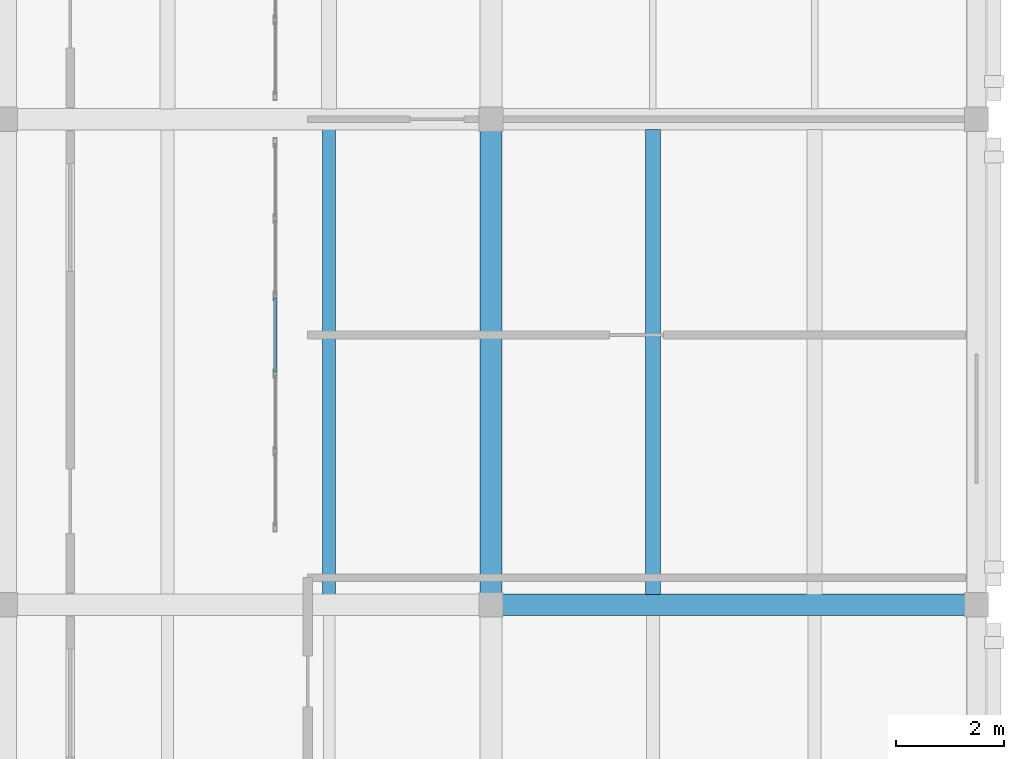
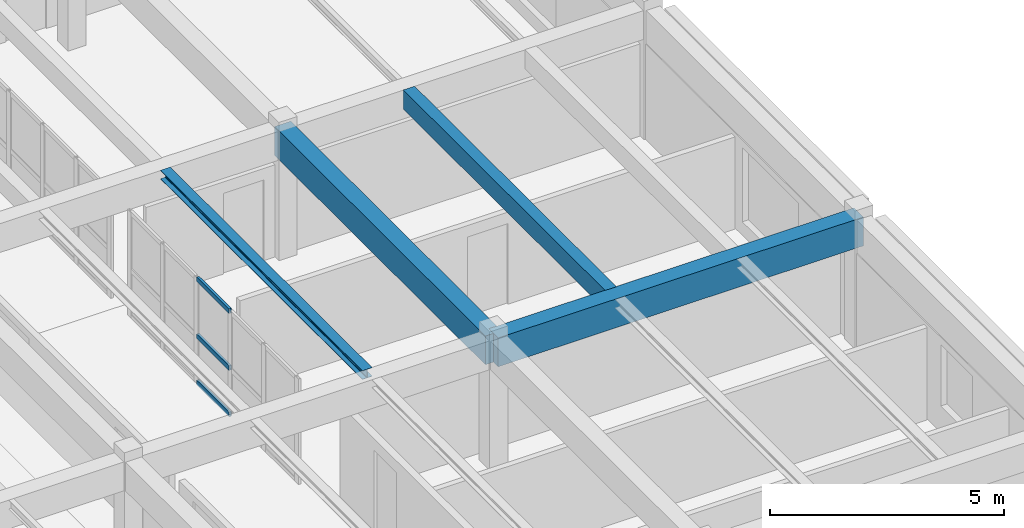
# One storey, part 36 of 80: 4 beams, 3 members, 1 element without a shape of its own.
"""IFC4 building model written with IfcOpenShell, lengths in metres."""

from ifc_helpers import new_model, si_unit, direction, frame, origin, origin_2d, place, context, subcontext, project, spatial, rectangle, hollow_rectangle, i_section, extrude, material, layer, layer_set, material_profile, profile_set, type_object, element, aggregate, save


model = new_model("IFC4")

# Units and contexts
model_context = context("Model", 3, precision=1e-05, world=origin(), true_north=direction((0.0, 1.0)))
body_context = subcontext(model_context, "Body", "Model", "MODEL_VIEW")
ifc_project = project(units=[si_unit("LENGTHUNIT", "METRE"), si_unit("AREAUNIT", "SQUARE_METRE"), si_unit("VOLUMEUNIT", "CUBIC_METRE"), si_unit("PLANEANGLEUNIT", "RADIAN"), si_unit("MASSUNIT", "GRAM", prefix="KILO")], contexts=[model_context])

# Site, building, storey
site_placement = place(None, origin())
site = spatial("IfcSite", under=ifc_project, at=site_placement, CompositionType="ELEMENT")
building_placement = place(site_placement, origin())
building = spatial("IfcBuilding", under=site, at=building_placement, Name="Ornek Quay Market", CompositionType="ELEMENT")
storey_placement = place(building_placement, frame((0.0, 0.0, 8.39990234375)))
storey = spatial("IfcBuildingStorey", under=building, at=storey_placement, Name="L02", CompositionType="ELEMENT", Elevation=8.39990234375)

# Beams
ifc_material_1 = material(Name="Concrete C35/45", Category="concrete")
ifc_material_profile_1 = material_profile(ifc_material_1, rectangle(XDim=0.39990234375, YDim=0.75, at=origin_2d()), Name="RC 400x750", Category="concrete")
ifc_profile_set_1 = profile_set([ifc_material_profile_1], Name="Concrete C35/45")
beam_type_1 = type_object("IfcBeamType", Name="BM-CS-400x750", PredefinedType="BEAM", material=ifc_profile_set_1)
for number, where, z_axis, x_axis, name in (
    (1, (171.0, 29.0, 2.97509765625), (1.0, 0.0, 0.0), (0.0, 1.0, 0.0), "Primary beam B-CS1-059"),
    (2, (171.0, 29.0, 2.97509765625), (0.0, 1.0, 0.0), (-1.0, 0.0, 0.0), "Primary beam B-CS1-077"),
):
    element("IfcBeam", number, at=place(storey_placement, frame(where, z_axis=z_axis, x_axis=x_axis)), inside=storey, type_object=beam_type_1, Name=name, PredefinedType="BEAM", context=body_context, shape_type="SweptSolid", body=[
        extrude(rectangle(XDim=0.39990234375, YDim=0.75, at=origin_2d()), origin(), (0.0, 0.0, 1.0), 9.0),
    ])
ifc_material_profile_2 = material_profile(ifc_material_1, rectangle(XDim=0.280029296875, YDim=0.5, at=origin_2d()), Name="RC 280x500", Category="concrete")
ifc_profile_set_2 = profile_set([ifc_material_profile_2], Name="Concrete C35/45")
beam_type_2 = type_object("IfcBeamType", Name="BM-SEC-280x500", PredefinedType="JOIST", material=ifc_profile_set_2)
beam_1_placement = place(storey_placement, frame((174.0, 29.19189453125, 3.10009765625), z_axis=(0.0, 1.0, 0.0), x_axis=(-1.0, 0.0, 0.0)))
element("IfcBeam", 3, at=beam_1_placement, inside=storey, type_object=beam_type_2, Name="Secondary joist B-SC2-097", PredefinedType="JOIST", context=body_context, shape_type="SweptSolid", body=[
    extrude(rectangle(XDim=0.280029296875, YDim=0.5, at=origin_2d()), origin(), (0.0, 0.0, 1.0), 8.6162109375),
])
ifc_material_2 = material(Name="Steel S355", Category="steel")
ifc_material_profile_3 = material_profile(ifc_material_2, i_section(OverallWidth=0.239990234375, OverallDepth=0.22998046875, WebThickness=0.007568359375, FlangeThickness=0.011962890625, FilletRadius=0.02099609375, at=origin_2d()), Name="HEA 240", Category="steel")
ifc_profile_set_3 = profile_set([ifc_material_profile_3], Name="Steel S355")
beam_type_3 = type_object("IfcBeamType", Name="BM-STL-HEA240", PredefinedType="BEAM", material=ifc_profile_set_3)
beam_2_placement = place(storey_placement, frame((168.0, 29.19189453125, 3.235107421875), z_axis=(0.0, 1.0, 0.0), x_axis=(-1.0, 0.0, 0.0)))
element("IfcBeam", 4, at=beam_2_placement, inside=storey, type_object=beam_type_3, Name="Secondary joist SB-14-034", PredefinedType="BEAM", context=body_context, shape_type="SweptSolid", body=[
    extrude(i_section(OverallWidth=0.239990234375, OverallDepth=0.22998046875, WebThickness=0.007568359375, FlangeThickness=0.011962890625, FilletRadius=0.02099609375, at=origin_2d()), origin(), (0.0, 0.0, 1.0), 8.6162109375),
])

# Curtain wall, members
ifc_material_3 = material(Name="Anodised bronze aluminium and triple low-e glass", Category="aluminium")
ifc_layer = layer(ifc_material_3, 0.139892578125, Name="Anodised bronze aluminium and triple low-e glass", Category="aluminium")
ifc_layer_set = layer_set([ifc_layer], Name="Anodised bronze aluminium and triple low-e glass")
curtain_wall_type = type_object("IfcCurtainWallType", Name="CW-GALLERY-INT", PredefinedType="USERDEFINED", material=ifc_layer_set)
curtain_wall_placement = place(storey_placement, origin())
curtain_wall = element("IfcCurtainWall", 5, at=curtain_wall_placement, inside=storey, type_object=curtain_wall_type, Name="Curtain wall CW-167", ObjectType="CURTAIN WALL", PredefinedType="USERDEFINED")
ifc_material_4 = material(Name="Anodised aluminium 6063-T6", Category="aluminium")
ifc_material_profile_4 = material_profile(ifc_material_4, hollow_rectangle(XDim=0.06005859375, YDim=0.1201171875, WallThickness=0.00390625, at=origin_2d()), Name="CW-TRN-60x120", Category="aluminium")
ifc_profile_set_4 = profile_set([ifc_material_profile_4], Name="Anodised aluminium 6063-T6")
member_type = type_object("IfcMemberType", Name="CW-TRN-60x120", PredefinedType="USERDEFINED", material=ifc_profile_set_4)
member_1_placement = place(storey_placement, frame((167.0, 33.31005859375, 0.030029296875), z_axis=(0.0, 1.0, 0.0), x_axis=(-1.0, 0.0, 0.0)))
member_1 = element("IfcMember", 6, at=member_1_placement, type_object=member_type, Name="CW-167 transom 3.1", ObjectType="TRANSOM", PredefinedType="USERDEFINED", context=body_context, shape_type="SweptSolid", body=[
    extrude(hollow_rectangle(XDim=0.06005859375, YDim=0.1201171875, WallThickness=0.00390625, at=origin_2d()), origin(), (0.0, 0.0, 1.0), 1.3798828125),
])
member_2_placement = place(storey_placement, frame((167.0, 33.31005859375, 1.237548828125), z_axis=(0.0, 1.0, 0.0), x_axis=(-1.0, 0.0, 0.0)))
member_2 = element("IfcMember", 7, at=member_2_placement, type_object=member_type, Name="CW-167 transom 3.2", ObjectType="TRANSOM", PredefinedType="USERDEFINED", context=body_context, shape_type="SweptSolid", body=[
    extrude(hollow_rectangle(XDim=0.06005859375, YDim=0.1201171875, WallThickness=0.00390625, at=origin_2d()), origin(), (0.0, 0.0, 1.0), 1.3798828125),
])
member_3_placement = place(storey_placement, frame((167.0, 33.31005859375, 2.72021484375), z_axis=(0.0, 1.0, 0.0), x_axis=(-1.0, 0.0, 0.0)))
member_3 = element("IfcMember", 8, at=member_3_placement, type_object=member_type, Name="CW-167 transom 3.3", ObjectType="TRANSOM", PredefinedType="USERDEFINED", context=body_context, shape_type="SweptSolid", body=[
    extrude(hollow_rectangle(XDim=0.06005859375, YDim=0.1201171875, WallThickness=0.00390625, at=origin_2d()), origin(), (0.0, 0.0, 1.0), 1.3798828125),
])
aggregate(curtain_wall, [member_1, member_2, member_3])

save(model, "model.ifc")
